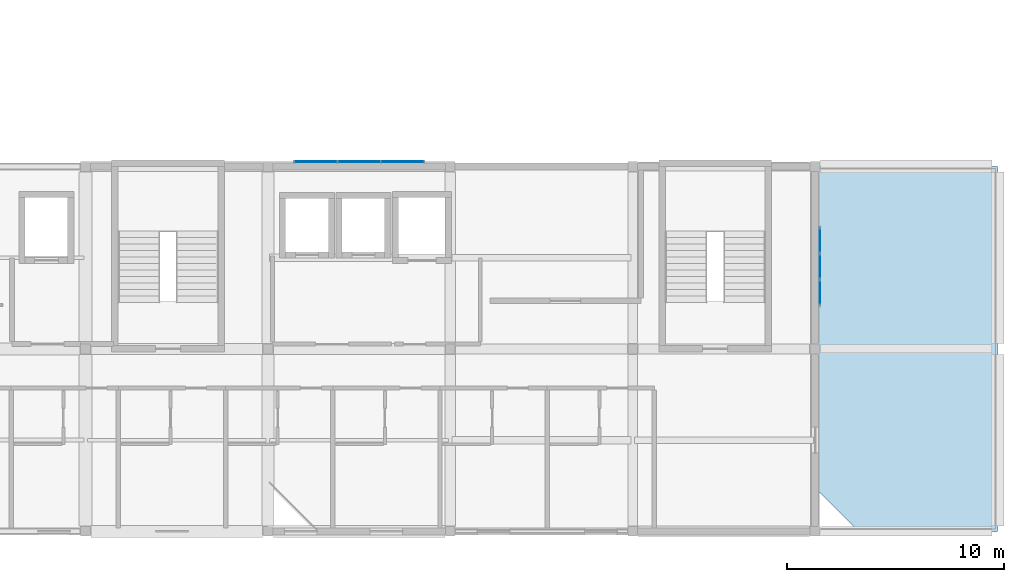
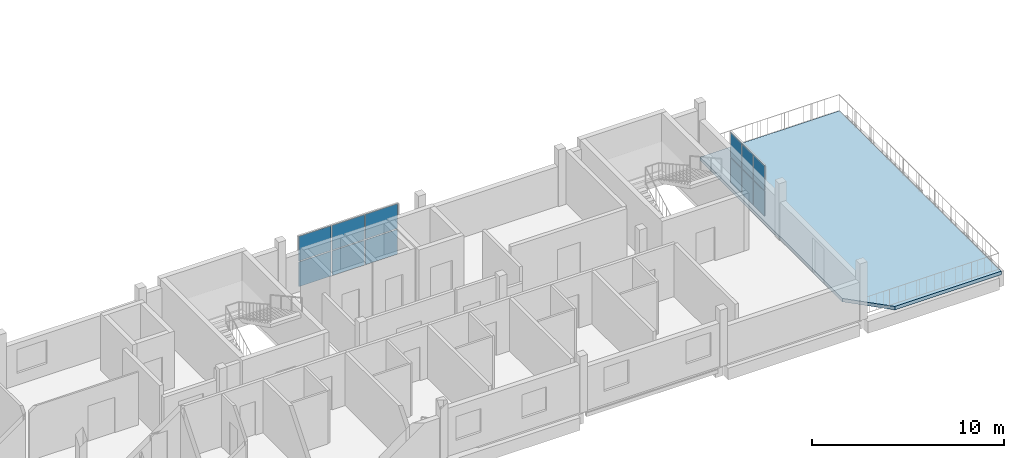
# One storey, part 8 of 19: 12 plates, 1 slab, 2 elements without a shape of their own.
"""IFC4 building model written with IfcOpenShell, lengths in metres."""

import ifcopenshell
import ifcopenshell.guid

model = None  # the IFC model being written
_history = None  # IfcOwnerHistory: only IFC2X3 demands one
_inside = {}  # id of a spatial element -> (the spatial element, [elements in it])
_under = {}  # id of a project, library or spatial element -> (it, [spatial elements below it])
_declared = {}  # id of a project -> (the project, [libraries it declares])
_typed = {}  # id of a type object -> (the type object, [elements of that type])
_made_of = {}  # id of a material, layer set ... -> (it, [elements and type objects made of it])


def new_model(schema):
    """Start an empty IFC model of exactly this schema.

    Asked for "IFC4X3", IfcOpenShell would pick the latest addendum, in which some entities
    have other attributes; the version numbers below select the first issue.
    IFC2X3 requires an IfcOwnerHistory on every rooted entity: one is made here for all.
    """
    global model, _history
    if schema == "IFC4X3":
        model = ifcopenshell.file(schema_version=(4, 3, 0, 0))
    else:
        model = ifcopenshell.file(schema=schema)
    _inside.clear()
    _under.clear()
    _declared.clear()
    _typed.clear()
    _made_of.clear()
    _history = None
    if model.schema == "IFC2X3":
        org = make("IfcOrganization", Name="unknown")
        user = make(
            "IfcPersonAndOrganization",
            ThePerson=make("IfcPerson", FamilyName="unknown"),
            TheOrganization=org,
        )
        app = make(
            "IfcApplication",
            ApplicationDeveloper=org,
            Version="unknown",
            ApplicationFullName="unknown",
            ApplicationIdentifier="unknown",
        )
        _history = make(
            "IfcOwnerHistory",
            OwningUser=user,
            OwningApplication=app,
            ChangeAction="ADDED",
            CreationDate=0,
        )
    return model


def make(cls, **values):
    """One entity of the class cls with the attributes given. An attribute that is None is left unset."""
    return model.create_entity(
        cls, **{name: value for name, value in values.items() if value is not None}
    )


def rooted(cls, **values):
    """An entity with a GlobalId (a new one), such as an element, a storey or a relation."""
    return make(cls, GlobalId=ifcopenshell.guid.new(), OwnerHistory=_history, **values)


def si_unit(unit_type, name, prefix=None):
    """IfcSIUnit, for example si_unit("LENGTHUNIT", "METRE", prefix="MILLI")."""
    return make("IfcSIUnit", UnitType=unit_type, Prefix=prefix, Name=name)


def derived_unit(unit_type, elements):
    """IfcDerivedUnit: a product of units, each with its exponent."""
    return make(
        "IfcDerivedUnit",
        Elements=[
            make("IfcDerivedUnitElement", Unit=unit, Exponent=power)
            for unit, power in elements
        ],
        UnitType=unit_type,
    )


def assignment(units):
    """IfcUnitAssignment: the units of a project."""
    return None if units is None else make("IfcUnitAssignment", Units=units)


def point(xyz):
    """IfcCartesianPoint."""
    return None if xyz is None else make("IfcCartesianPoint", Coordinates=xyz)


def direction(xyz):
    """IfcDirection."""
    return None if xyz is None else make("IfcDirection", DirectionRatios=xyz)


def frame(location, z_axis=None, x_axis=None):
    """IfcAxis2Placement3D, a coordinate frame: its origin and axes. An axis left out is left unset."""
    return make(
        "IfcAxis2Placement3D",
        Location=point(location),
        Axis=direction(z_axis),
        RefDirection=direction(x_axis),
    )


def frame_2d(location, x_axis=None):
    """IfcAxis2Placement2D, a coordinate frame in the plane: its origin and x axis."""
    return make(
        "IfcAxis2Placement2D", Location=point(location), RefDirection=direction(x_axis)
    )


def origin():
    """The frame at (0, 0, 0) with its axes left unset."""
    return frame((0.0, 0.0, 0.0))


def origin_2d():
    """The frame at (0, 0) in the plane with its x axis left unset."""
    return frame_2d((0.0, 0.0))


def place(relative_to, where):
    """IfcLocalPlacement: puts the frame where relative to a parent placement (None: the world)."""
    return make(
        "IfcLocalPlacement", PlacementRelTo=relative_to, RelativePlacement=where
    )


def context(
    kind, dimensions, precision=None, world=None, true_north=None, identifier=None
):
    """IfcGeometricRepresentationContext, for example the 3D "Model" context."""
    return make(
        "IfcGeometricRepresentationContext",
        ContextIdentifier=identifier,
        ContextType=kind,
        CoordinateSpaceDimension=dimensions,
        Precision=precision,
        WorldCoordinateSystem=world,
        TrueNorth=true_north,
    )


def subcontext(parent, identifier, kind, view, scale=None):
    """IfcGeometricRepresentationSubContext, for example "Body" below "Model"."""
    return make(
        "IfcGeometricRepresentationSubContext",
        ContextIdentifier=identifier,
        ContextType=kind,
        ParentContext=parent,
        TargetScale=scale,
        TargetView=view,
    )


def project(units=None, contexts=None):
    """IfcProject with its units and contexts."""
    return rooted(
        "IfcProject",
        Name="project",
        RepresentationContexts=contexts,
        UnitsInContext=assignment(units),
    )


def spatial(cls, under=None, at=None, **own):
    """A site, building, storey or space (cls), placed at a placement, below another one or the project."""
    s = rooted(cls, ObjectPlacement=at, **own)
    if under is not None:
        _under.setdefault(under.id(), (under, []))[1].append(s)
    return s


def polyline(points):
    """IfcPolyline through the points."""
    return make("IfcPolyline", Points=[point(p) for p in points])


def profile(cls, at=None, kind="AREA", **sizes):
    """A parametric profile (cls). Its sizes go by their IFC names, for example OverallWidth=200.0."""
    return make(cls, ProfileType=kind, Position=at, **sizes)


def rectangle(**sizes):
    """IfcRectangleProfileDef."""
    return profile("IfcRectangleProfileDef", **sizes)


def outline(outer, holes=None, kind="AREA"):
    """IfcArbitraryClosedProfileDef: a profile drawn as a closed curve; with holes, ...WithVoids."""
    if holes is None:
        return make("IfcArbitraryClosedProfileDef", ProfileType=kind, OuterCurve=outer)
    return make(
        "IfcArbitraryProfileDefWithVoids",
        ProfileType=kind,
        OuterCurve=outer,
        InnerCurves=holes,
    )


def extrude(swept, where, along, depth):
    """IfcExtrudedAreaSolid: the profile swept, set in the frame where, extruded along a direction by depth."""
    return make(
        "IfcExtrudedAreaSolid",
        SweptArea=swept,
        Position=where,
        ExtrudedDirection=direction(along),
        Depth=depth,
    )


def shape(context_of_items, identifier, shape_type, items):
    """IfcShapeRepresentation: the items that make up one representation, for example the "Body"."""
    return make(
        "IfcShapeRepresentation",
        ContextOfItems=context_of_items,
        RepresentationIdentifier=identifier,
        RepresentationType=shape_type,
        Items=items,
    )


def material(Name=None, Category=None):
    """IfcMaterial."""
    return make("IfcMaterial", Name=Name, Category=Category)


def layer(
    of_material, thickness, ventilated=None, Name=None, Category=None, Priority=None
):
    """IfcMaterialLayer: one layer of a wall or slab, of a material (None: an air gap)."""
    return make(
        "IfcMaterialLayer",
        Material=of_material,
        LayerThickness=thickness,
        IsVentilated=ventilated,
        Name=Name,
        Category=Category,
        Priority=Priority,
    )


def layer_set(layers, Name=None):
    """IfcMaterialLayerSet."""
    return make("IfcMaterialLayerSet", MaterialLayers=layers, LayerSetName=Name)


def made_of(thing, what):
    """Note that an element or type object is made of a material, layer set ...; save() writes the relation."""
    if what is not None:
        _made_of.setdefault(what.id(), (what, []))[1].append(thing)
    return thing


def type_object(cls, material=None, **own):
    """A type object (cls), such as IfcWallType, which elements share."""
    return made_of(rooted(cls, **own), material)


def element(
    cls,
    number,
    at=None,
    inside=None,
    cuts=None,
    type_object=None,
    material=None,
    context=None,
    identifier="Body",
    shape_type=None,
    held_by="IfcProductDefinitionShape",
    body=None,
    shapes=None,
    **own,
):
    """One element of the class cls, such as IfcWall. Its Tag is "e" and its number.

    at: its placement. inside: the storey or other place that contains it. cuts: it is an
    opening in that element (IfcRelVoidsElement). A single representation is given by context,
    identifier, shape_type and body (its items); several are given by shapes. held_by: the class
    of the entity that holds the representations. save() writes the other relations.
    """
    e = rooted(cls, Tag="e%d" % number, ObjectPlacement=at, **own)
    if body is not None:
        shapes = [shape(context, identifier, shape_type, body)]
    if shapes is not None:
        e.Representation = make(held_by, Representations=shapes)
    if inside is not None:
        _inside.setdefault(inside.id(), (inside, []))[1].append(e)
    if cuts is not None:
        rooted(
            "IfcRelVoidsElement", RelatingBuildingElement=cuts, RelatedOpeningElement=e
        )
    if type_object is not None:
        _typed.setdefault(type_object.id(), (type_object, []))[1].append(e)
    return made_of(e, material)


def aggregate(whole, parts):
    """IfcRelAggregates: a whole, such as a stair, and the parts it consists of."""
    return rooted("IfcRelAggregates", RelatingObject=whole, RelatedObjects=parts)


def save(model, path):
    """Write the relations noted so far, then the file.

    IfcRelAggregates (storeys below a building ...), IfcRelContainedInSpatialStructure (elements
    in a storey), IfcRelDefinesByType, IfcRelAssociatesMaterial and IfcRelDeclares: one each for
    every whole, place, type object, material and project.
    """
    for whole, parts in _under.values():
        aggregate(whole, parts)
    for where, things in _inside.values():
        rooted(
            "IfcRelContainedInSpatialStructure",
            RelatedElements=things,
            RelatingStructure=where,
        )
    for kind, things in _typed.values():
        rooted("IfcRelDefinesByType", RelatedObjects=things, RelatingType=kind)
    for what, things in _made_of.values():
        rooted("IfcRelAssociatesMaterial", RelatedObjects=things, RelatingMaterial=what)
    for by, libraries in _declared.values():
        rooted("IfcRelDeclares", RelatingContext=by, RelatedDefinitions=libraries)
    model.write(path)


model = new_model("IFC4")

# Units and contexts
model_context = context("Model", 3, precision=1e-05, world=origin(), true_north=direction((0.0, 1.0)))
body_context = subcontext(model_context, "Body", "Model", "MODEL_VIEW")
ifc_project = project(units=[si_unit("LENGTHUNIT", "METRE"), si_unit("AREAUNIT", "SQUARE_METRE"), si_unit("VOLUMEUNIT", "CUBIC_METRE"), si_unit("PLANEANGLEUNIT", "RADIAN"), si_unit("MASSUNIT", "GRAM", prefix="KILO"), derived_unit("THERMALTRANSMITTANCEUNIT", [(si_unit("POWERUNIT", "WATT"), 1), (si_unit("LENGTHUNIT", "METRE"), -2), (si_unit("THERMODYNAMICTEMPERATUREUNIT", "KELVIN"), -1)])], contexts=[model_context])

# Site, building, storey
site_placement = place(None, origin())
site = spatial("IfcSite", under=ifc_project, at=site_placement, CompositionType="ELEMENT")
building_placement = place(site_placement, origin())
building = spatial("IfcBuilding", under=site, at=building_placement, Name="Barrovel Congress Hotel", CompositionType="ELEMENT")
storey_placement = place(building_placement, frame((0.0, 0.0, 43.5)))
storey = spatial("IfcBuildingStorey", under=building, at=storey_placement, Name="L11", CompositionType="ELEMENT", Elevation=43.5)

# Curtain wall, plates
ifc_material_1 = material(Name="Anodised Aluminium Alloy 6063-T6", Category="aluminium")
curtain_wall_type_1 = type_object("IfcCurtainWallType", Name="CW-UN-6000x3200", PredefinedType="USERDEFINED", material=ifc_material_1)
curtain_wall_1_placement = place(storey_placement, origin())
curtain_wall_1 = element("IfcCurtainWall", 1, at=curtain_wall_1_placement, inside=storey, type_object=curtain_wall_type_1, Name="CW:L11:UN-4", ObjectType="UNITISED CURTAIN WALL", PredefinedType="USERDEFINED")
ifc_material_2 = material(Name="Double Low-E Insulated Glazing", Category="glass")
ifc_layer_1 = layer(ifc_material_2, 0.028076171875)
ifc_layer_set_1 = layer_set([ifc_layer_1], Name="Double Low-E Insulated Glazing")
plate_type_1 = type_object("IfcPlateType", Name="CWP-28", PredefinedType="CURTAIN_PANEL", material=ifc_layer_set_1)
plate_1_placement = place(storey_placement, frame((86.199951171875, 21.219970703125, 0.030029296875), z_axis=(0.0, 0.0, 1.0), x_axis=(1.0, 0.0, 0.0)))
plate_1 = element("IfcPlate", 2, at=plate_1_placement, type_object=plate_type_1, Name="CW:L11:UN-4:P0-0", PredefinedType="CURTAIN_PANEL", context=body_context, shape_type="SweptSolid", body=[
    extrude(rectangle(XDim=1.93994140625, YDim=0.028076171875, at=origin_2d()), origin(), (0.0, 0.0, 1.0), 1.56494140625),
])
plate_2_placement = place(storey_placement, frame((86.199951171875, 21.219970703125, 1.655029296875), z_axis=(0.0, 0.0, 1.0), x_axis=(1.0, 0.0, 0.0)))
plate_2 = element("IfcPlate", 3, at=plate_2_placement, type_object=plate_type_1, Name="CW:L11:UN-4:P0-1", PredefinedType="CURTAIN_PANEL", context=body_context, shape_type="SweptSolid", body=[
    extrude(rectangle(XDim=1.93994140625, YDim=0.028076171875, at=origin_2d()), origin(), (0.0, 0.0, 1.0), 1.56494140625),
])
plate_3_placement = place(storey_placement, frame((88.199951171875, 21.219970703125, 0.030029296875), z_axis=(0.0, 0.0, 1.0), x_axis=(1.0, 0.0, 0.0)))
plate_3 = element("IfcPlate", 4, at=plate_3_placement, type_object=plate_type_1, Name="CW:L11:UN-4:P1-0", PredefinedType="CURTAIN_PANEL", context=body_context, shape_type="SweptSolid", body=[
    extrude(rectangle(XDim=1.93994140625, YDim=0.028076171875, at=origin_2d()), origin(), (0.0, 0.0, 1.0), 1.56494140625),
])
plate_4_placement = place(storey_placement, frame((88.199951171875, 21.219970703125, 1.655029296875), z_axis=(0.0, 0.0, 1.0), x_axis=(1.0, 0.0, 0.0)))
plate_4 = element("IfcPlate", 5, at=plate_4_placement, type_object=plate_type_1, Name="CW:L11:UN-4:P1-1", PredefinedType="CURTAIN_PANEL", context=body_context, shape_type="SweptSolid", body=[
    extrude(rectangle(XDim=1.93994140625, YDim=0.028076171875, at=origin_2d()), origin(), (0.0, 0.0, 1.0), 1.56494140625),
])
plate_5_placement = place(storey_placement, frame((90.199951171875, 21.219970703125, 0.030029296875), z_axis=(0.0, 0.0, 1.0), x_axis=(1.0, 0.0, 0.0)))
plate_5 = element("IfcPlate", 6, at=plate_5_placement, type_object=plate_type_1, Name="CW:L11:UN-4:P2-0", PredefinedType="CURTAIN_PANEL", context=body_context, shape_type="SweptSolid", body=[
    extrude(rectangle(XDim=1.93994140625, YDim=0.028076171875, at=origin_2d()), origin(), (0.0, 0.0, 1.0), 1.56494140625),
])
plate_6_placement = place(storey_placement, frame((90.199951171875, 21.219970703125, 1.655029296875), z_axis=(0.0, 0.0, 1.0), x_axis=(1.0, 0.0, 0.0)))
plate_6 = element("IfcPlate", 7, at=plate_6_placement, type_object=plate_type_1, Name="CW:L11:UN-4:P2-1", PredefinedType="CURTAIN_PANEL", context=body_context, shape_type="SweptSolid", body=[
    extrude(rectangle(XDim=1.93994140625, YDim=0.028076171875, at=origin_2d()), origin(), (0.0, 0.0, 1.0), 1.56494140625),
])
aggregate(curtain_wall_1, [plate_1, plate_2, plate_3, plate_4, plate_5, plate_6])

curtain_wall_type_2 = type_object("IfcCurtainWallType", Name="CW-UN-3600x3200", PredefinedType="USERDEFINED", material=ifc_material_1)
curtain_wall_2_placement = place(storey_placement, origin())
curtain_wall_2 = element("IfcCurtainWall", 8, at=curtain_wall_2_placement, inside=storey, type_object=curtain_wall_type_2, Name="CW:L11:UN-1", ObjectType="UNITISED CURTAIN WALL", PredefinedType="USERDEFINED")
ifc_layer_2 = layer(ifc_material_2, 0.031982421875)
ifc_layer_set_2 = layer_set([ifc_layer_2], Name="Double Low-E Insulated Glazing")
plate_type_2 = type_object("IfcPlateType", Name="CWP-32", PredefinedType="CURTAIN_PANEL", material=ifc_layer_set_2)
plate_7_placement = place(storey_placement, frame((109.419921875, 15.199951171875, 0.030029296875), z_axis=(0.0, 0.0, 1.0), x_axis=(0.0, 1.0, 0.0)))
plate_7 = element("IfcPlate", 9, at=plate_7_placement, type_object=plate_type_2, Name="CW:L11:UN-1:P0-0", PredefinedType="CURTAIN_PANEL", context=body_context, shape_type="SweptSolid", body=[
    extrude(rectangle(XDim=1.139892578125, YDim=0.031982421875, at=origin_2d()), origin(), (0.0, 0.0, 1.0), 1.56494140625),
])
plate_8_placement = place(storey_placement, frame((109.419921875, 15.199951171875, 1.655029296875), z_axis=(0.0, 0.0, 1.0), x_axis=(0.0, 1.0, 0.0)))
plate_8 = element("IfcPlate", 10, at=plate_8_placement, type_object=plate_type_2, Name="CW:L11:UN-1:P0-1", PredefinedType="CURTAIN_PANEL", context=body_context, shape_type="SweptSolid", body=[
    extrude(rectangle(XDim=1.139892578125, YDim=0.031982421875, at=origin_2d()), origin(), (0.0, 0.0, 1.0), 1.56494140625),
])
plate_9_placement = place(storey_placement, frame((109.419921875, 16.39990234375, 0.030029296875), z_axis=(0.0, 0.0, 1.0), x_axis=(0.0, 1.0, 0.0)))
plate_9 = element("IfcPlate", 11, at=plate_9_placement, type_object=plate_type_2, Name="CW:L11:UN-1:P1-0", PredefinedType="CURTAIN_PANEL", context=body_context, shape_type="SweptSolid", body=[
    extrude(rectangle(XDim=1.139892578125, YDim=0.031982421875, at=origin_2d()), origin(), (0.0, 0.0, 1.0), 1.56494140625),
])
plate_10_placement = place(storey_placement, frame((109.419921875, 16.39990234375, 1.655029296875), z_axis=(0.0, 0.0, 1.0), x_axis=(0.0, 1.0, 0.0)))
plate_10 = element("IfcPlate", 12, at=plate_10_placement, type_object=plate_type_2, Name="CW:L11:UN-1:P1-1", PredefinedType="CURTAIN_PANEL", context=body_context, shape_type="SweptSolid", body=[
    extrude(rectangle(XDim=1.139892578125, YDim=0.031982421875, at=origin_2d()), origin(), (0.0, 0.0, 1.0), 1.56494140625),
])
plate_11_placement = place(storey_placement, frame((109.419921875, 17.60009765625, 0.030029296875), z_axis=(0.0, 0.0, 1.0), x_axis=(0.0, 1.0, 0.0)))
plate_11 = element("IfcPlate", 13, at=plate_11_placement, type_object=plate_type_2, Name="CW:L11:UN-1:P2-0", PredefinedType="CURTAIN_PANEL", context=body_context, shape_type="SweptSolid", body=[
    extrude(rectangle(XDim=1.139892578125, YDim=0.031982421875, at=origin_2d()), origin(), (0.0, 0.0, 1.0), 1.56494140625),
])
plate_12_placement = place(storey_placement, frame((109.419921875, 17.60009765625, 1.655029296875), z_axis=(0.0, 0.0, 1.0), x_axis=(0.0, 1.0, 0.0)))
plate_12 = element("IfcPlate", 14, at=plate_12_placement, type_object=plate_type_2, Name="CW:L11:UN-1:P2-1", PredefinedType="CURTAIN_PANEL", context=body_context, shape_type="SweptSolid", body=[
    extrude(rectangle(XDim=1.139892578125, YDim=0.031982421875, at=origin_2d()), origin(), (0.0, 0.0, 1.0), 1.56494140625),
])
aggregate(curtain_wall_2, [plate_7, plate_8, plate_9, plate_10, plate_11, plate_12])

# Slab
ifc_material_3 = material(Name="Concrete C35", Category="concrete")
ifc_layer_3 = layer(ifc_material_3, 0.219970703125)
ifc_layer_set_3 = layer_set([ifc_layer_3], Name="Concrete C35")
slab_type = type_object("IfcSlabType", Name="SL-F220", PredefinedType="FLOOR", material=ifc_layer_set_3)
slab_placement = place(storey_placement, frame((0.0, 0.0, -0.219970703125)))
element("IfcSlab", 15, at=slab_placement, inside=storey, type_object=slab_type, Name="SLAB:L11:TERR-E", PredefinedType="FLOOR", context=body_context, shape_type="SweptSolid", body=[
    extrude(outline(polyline([(111.199951171875, 4.199951171875), (117.60009765625, 4.199951171875), (117.60009765625, 21.0), (109.199951171875, 21.0), (109.199951171875, 6.199951171875), (111.199951171875, 4.199951171875)])), origin(), (0.0, 0.0, 1.0), 0.219970703125),
])

save(model, "model.ifc")
